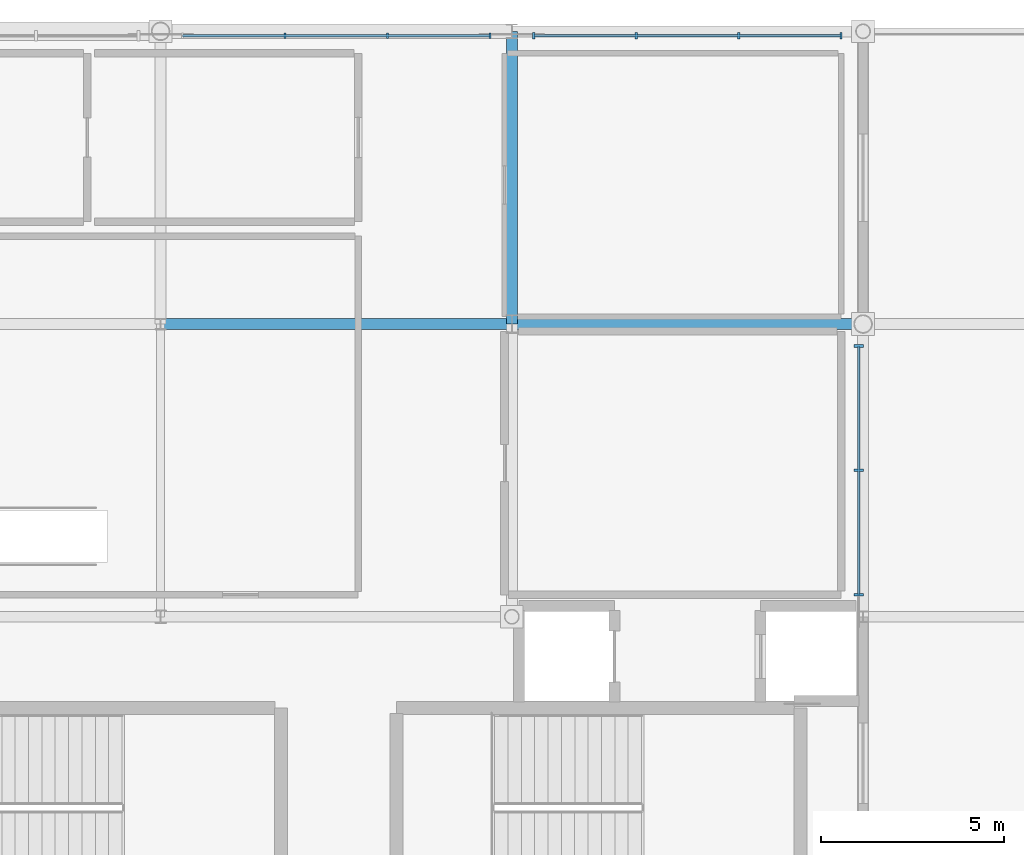
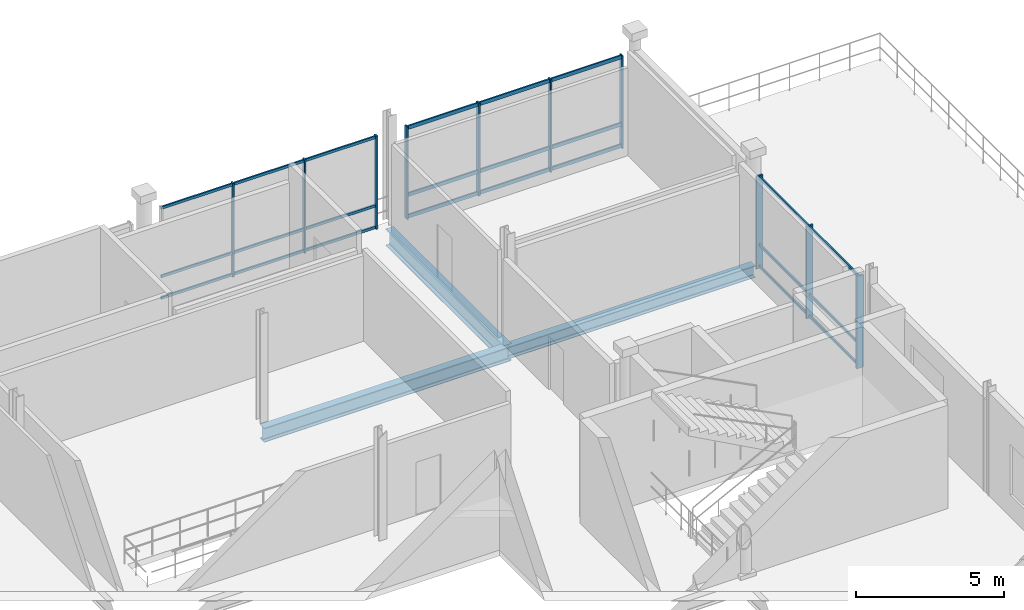
# One storey, part 13 of 26: 19 members, 3 beams, 3 elements without a shape of their own.
"""IFC4 building model written with IfcOpenShell, lengths in metres."""

from ifc_helpers import new_model, si_unit, direction, frame, origin, origin_2d, place, context, subcontext, project, spatial, rectangle, i_section, extrude, material, material_profile, profile_set, type_object, element, aggregate, save


model = new_model("IFC4")

# Units and contexts
model_context = context("Model", 3, precision=1e-05, world=origin(), true_north=direction((0.0, 1.0)))
body_context = subcontext(model_context, "Body", "Model", "MODEL_VIEW")
ifc_project = project(units=[si_unit("LENGTHUNIT", "METRE"), si_unit("AREAUNIT", "SQUARE_METRE"), si_unit("VOLUMEUNIT", "CUBIC_METRE"), si_unit("PLANEANGLEUNIT", "RADIAN"), si_unit("MASSUNIT", "GRAM", prefix="KILO")], contexts=[model_context])

# Site, building, storey
site_placement = place(None, origin())
site = spatial("IfcSite", under=ifc_project, at=site_placement, CompositionType="ELEMENT")
building_placement = place(site_placement, origin())
building = spatial("IfcBuilding", under=site, at=building_placement, Name="Danafjord Basin Convention Centre", CompositionType="ELEMENT")
storey_placement = place(building_placement, frame((0.0, 0.0, 24.89990234375)))
storey = spatial("IfcBuildingStorey", under=building, at=storey_placement, Name="L05", CompositionType="ELEMENT", Elevation=24.89990234375)

# Beams
ifc_material_1 = material(Name="Steel S355", Category="steel")
ifc_material_profile_1 = material_profile(ifc_material_1, i_section(OverallWidth=0.300048828125, OverallDepth=0.489990234375, WebThickness=0.011962890625, FlangeThickness=0.02294921875, FilletRadius=0.027099609375, at=origin_2d()), Name="HEA 500")
ifc_profile_set_1 = profile_set([ifc_material_profile_1], Name="Steel S355")
beam_type_1 = type_object("IfcBeamType", Name="BEAM-BM-HEA500", PredefinedType="BEAM", material=ifc_profile_set_1)
beam_1_placement = place(storey_placement, frame((86.39990234375, 32.0, -0.494873046875), z_axis=(1.0, 0.0, 0.0), x_axis=(0.0, 1.0, 0.0)))
element("IfcBeam", 1, at=beam_1_placement, inside=storey, type_object=beam_type_1, Name="L05 girder BM-HEA500", PredefinedType="BEAM", context=body_context, shape_type="SweptSolid", body=[
    extrude(i_section(OverallWidth=0.300048828125, OverallDepth=0.489990234375, WebThickness=0.011962890625, FlangeThickness=0.02294921875, FilletRadius=0.027099609375, at=origin_2d()), origin(), (0.0, 0.0, 1.0), 9.60009765625),
])
ifc_material_profile_2 = material_profile(ifc_material_1, i_section(OverallWidth=0.300048828125, OverallDepth=0.590087890625, WebThickness=0.012939453125, FlangeThickness=0.02490234375, FilletRadius=0.027099609375, at=origin_2d()), Name="HEA 600")
ifc_profile_set_2 = profile_set([ifc_material_profile_2], Name="Steel S355")
beam_type_2 = type_object("IfcBeamType", Name="BEAM-BM-HEA600", PredefinedType="BEAM", material=ifc_profile_set_2)
beam_2_placement = place(storey_placement, frame((76.800048828125, 32.0, -0.544921875), z_axis=(1.0, 0.0, 0.0), x_axis=(0.0, 1.0, 0.0)))
element("IfcBeam", 2, at=beam_2_placement, inside=storey, type_object=beam_type_2, Name="L05 girder BM-HEA600", PredefinedType="BEAM", context=body_context, shape_type="SweptSolid", body=[
    extrude(i_section(OverallWidth=0.300048828125, OverallDepth=0.590087890625, WebThickness=0.012939453125, FlangeThickness=0.02490234375, FilletRadius=0.027099609375, at=origin_2d()), origin(), (0.0, 0.0, 1.0), 9.599853515625),
])
ifc_material_profile_3 = material_profile(ifc_material_1, i_section(OverallWidth=0.300048828125, OverallDepth=0.699951171875, WebThickness=0.01708984375, FlangeThickness=0.031982421875, FilletRadius=0.027099609375, at=origin_2d()), Name="HEB 700")
ifc_profile_set_3 = profile_set([ifc_material_profile_3], Name="Steel S355")
beam_type_3 = type_object("IfcBeamType", Name="BEAM-BM-HEB700", PredefinedType="BEAM", material=ifc_profile_set_3)
beam_3_placement = place(storey_placement, frame((86.39990234375, 32.0, -0.599853515625), z_axis=(0.0, 1.0, 0.0), x_axis=(-1.0, 0.0, 0.0)))
element("IfcBeam", 3, at=beam_3_placement, inside=storey, type_object=beam_type_3, Name="L05 transverse girder BM-HEB700", PredefinedType="BEAM", context=body_context, shape_type="SweptSolid", body=[
    extrude(i_section(OverallWidth=0.300048828125, OverallDepth=0.699951171875, WebThickness=0.01708984375, FlangeThickness=0.031982421875, FilletRadius=0.027099609375, at=origin_2d()), origin(), (0.0, 0.0, 1.0), 8.0),
])

# Curtain wall, members
ifc_material_2 = material(Name="Anodised aluminium and triple glazing", Category="aluminium")
curtain_wall_type = type_object("IfcCurtainWallType", Name="CW-CW-TERR", PredefinedType="NOTDEFINED", material=ifc_material_2)
curtain_wall_1_placement = place(storey_placement, origin())
curtain_wall_1 = element("IfcCurtainWall", 4, at=curtain_wall_1_placement, inside=storey, type_object=curtain_wall_type, Name="L05 CW-TERR unitised curtain wall bay 105", PredefinedType="NOTDEFINED")
ifc_material_3 = material(Name="Anodised aluminium EN AW-6060", Category="aluminium")
ifc_material_profile_4 = material_profile(ifc_material_3, rectangle(XDim=0.06005859375, YDim=0.139892578125, at=origin_2d()), Name="MULL 60x140")
ifc_profile_set_4 = profile_set([ifc_material_profile_4], Name="Anodised aluminium EN AW-6060")
member_type_1 = type_object("IfcMemberType", Name="MEM-ML-140", PredefinedType="MULLION", material=ifc_profile_set_4)
member_1_placement = place(storey_placement, frame((85.800048828125, 39.8798828125, -0.02490234375), z_axis=(0.0, 0.0, 1.0), x_axis=(-1.0, 0.0, 0.0)))
member_1 = element("IfcMember", 5, at=member_1_placement, type_object=member_type_1, Name="CW-L05-105 mullion 1", PredefinedType="MULLION", context=body_context, shape_type="SweptSolid", body=[
    extrude(rectangle(XDim=0.06005859375, YDim=0.139892578125, at=origin_2d()), origin(), (0.0, 0.0, 1.0), 3.875),
])
member_2_placement = place(storey_placement, frame((83.0, 39.8798828125, -0.02490234375), z_axis=(0.0, 0.0, 1.0), x_axis=(-1.0, 0.0, 0.0)))
member_2 = element("IfcMember", 6, at=member_2_placement, type_object=member_type_1, Name="CW-L05-105 mullion 2", PredefinedType="MULLION", context=body_context, shape_type="SweptSolid", body=[
    extrude(rectangle(XDim=0.06005859375, YDim=0.139892578125, at=origin_2d()), origin(), (0.0, 0.0, 1.0), 3.875),
])
member_3_placement = place(storey_placement, frame((80.199951171875, 39.8798828125, -0.02490234375), z_axis=(0.0, 0.0, 1.0), x_axis=(-1.0, 0.0, 0.0)))
member_3 = element("IfcMember", 7, at=member_3_placement, type_object=member_type_1, Name="CW-L05-105 mullion 3", PredefinedType="MULLION", context=body_context, shape_type="SweptSolid", body=[
    extrude(rectangle(XDim=0.06005859375, YDim=0.139892578125, at=origin_2d()), origin(), (0.0, 0.0, 1.0), 3.875),
])

curtain_wall_2_placement = place(storey_placement, origin())
curtain_wall_2 = element("IfcCurtainWall", 8, at=curtain_wall_2_placement, inside=storey, type_object=curtain_wall_type, Name="L05 CW-TERR unitised curtain wall bay 106", PredefinedType="NOTDEFINED")
ifc_material_profile_5 = material_profile(ifc_material_3, rectangle(XDim=0.06005859375, YDim=0.179931640625, at=origin_2d()), Name="MULL 60x180")
ifc_profile_set_5 = profile_set([ifc_material_profile_5], Name="Anodised aluminium EN AW-6060")
member_type_2 = type_object("IfcMemberType", Name="MEM-ML-180", PredefinedType="MULLION", material=ifc_profile_set_5)
member_4_placement = place(storey_placement, frame((95.39990234375, 39.8798828125, -0.02490234375), z_axis=(0.0, 0.0, 1.0), x_axis=(-1.0, 0.0, 0.0)))
member_4 = element("IfcMember", 9, at=member_4_placement, type_object=member_type_2, Name="CW-L05-106 mullion 1", PredefinedType="MULLION", context=body_context, shape_type="SweptSolid", body=[
    extrude(rectangle(XDim=0.06005859375, YDim=0.179931640625, at=origin_2d()), origin(), (0.0, 0.0, 1.0), 3.824951171875),
])
member_5_placement = place(storey_placement, frame((92.60009765625, 39.8798828125, -0.02490234375), z_axis=(0.0, 0.0, 1.0), x_axis=(-1.0, 0.0, 0.0)))
member_5 = element("IfcMember", 10, at=member_5_placement, type_object=member_type_2, Name="CW-L05-106 mullion 2", PredefinedType="MULLION", context=body_context, shape_type="SweptSolid", body=[
    extrude(rectangle(XDim=0.06005859375, YDim=0.179931640625, at=origin_2d()), origin(), (0.0, 0.0, 1.0), 3.824951171875),
])
member_6_placement = place(storey_placement, frame((89.800048828125, 39.8798828125, -0.02490234375), z_axis=(0.0, 0.0, 1.0), x_axis=(-1.0, 0.0, 0.0)))
member_6 = element("IfcMember", 11, at=member_6_placement, type_object=member_type_2, Name="CW-L05-106 mullion 3", PredefinedType="MULLION", context=body_context, shape_type="SweptSolid", body=[
    extrude(rectangle(XDim=0.06005859375, YDim=0.179931640625, at=origin_2d()), origin(), (0.0, 0.0, 1.0), 3.824951171875),
])
member_7_placement = place(storey_placement, frame((87.0, 39.8798828125, -0.02490234375), z_axis=(0.0, 0.0, 1.0), x_axis=(-1.0, 0.0, 0.0)))
member_7 = element("IfcMember", 12, at=member_7_placement, type_object=member_type_2, Name="CW-L05-106 mullion 4", PredefinedType="MULLION", context=body_context, shape_type="SweptSolid", body=[
    extrude(rectangle(XDim=0.06005859375, YDim=0.179931640625, at=origin_2d()), origin(), (0.0, 0.0, 1.0), 3.824951171875),
])

curtain_wall_3_placement = place(storey_placement, origin())
curtain_wall_3 = element("IfcCurtainWall", 13, at=curtain_wall_3_placement, inside=storey, type_object=curtain_wall_type, Name="L05 CW-TERR unitised curtain wall bay 108", PredefinedType="NOTDEFINED")
ifc_material_profile_6 = material_profile(ifc_material_3, rectangle(XDim=0.070068359375, YDim=0.260009765625, at=origin_2d()), Name="MULL 70x260")
ifc_profile_set_6 = profile_set([ifc_material_profile_6], Name="Anodised aluminium EN AW-6060")
member_type_3 = type_object("IfcMemberType", Name="MEM-ML-260", PredefinedType="MULLION", material=ifc_profile_set_6)
member_8_placement = place(storey_placement, frame((95.8798828125, 24.60009765625, -0.02490234375), z_axis=(0.0, 0.0, 1.0), x_axis=(0.0, 1.0, 0.0)))
member_8 = element("IfcMember", 14, at=member_8_placement, type_object=member_type_3, Name="CW-L05-108 mullion 1", PredefinedType="MULLION", context=body_context, shape_type="SweptSolid", body=[
    extrude(rectangle(XDim=0.070068359375, YDim=0.260009765625, at=origin_2d()), origin(), (0.0, 0.0, 1.0), 3.824951171875),
])
member_9_placement = place(storey_placement, frame((95.8798828125, 28.0, -0.02490234375), z_axis=(0.0, 0.0, 1.0), x_axis=(0.0, 1.0, 0.0)))
member_9 = element("IfcMember", 15, at=member_9_placement, type_object=member_type_3, Name="CW-L05-108 mullion 2", PredefinedType="MULLION", context=body_context, shape_type="SweptSolid", body=[
    extrude(rectangle(XDim=0.070068359375, YDim=0.260009765625, at=origin_2d()), origin(), (0.0, 0.0, 1.0), 3.824951171875),
])
member_10_placement = place(storey_placement, frame((95.8798828125, 31.39990234375, -0.02490234375), z_axis=(0.0, 0.0, 1.0), x_axis=(0.0, 1.0, 0.0)))
member_10 = element("IfcMember", 16, at=member_10_placement, type_object=member_type_3, Name="CW-L05-108 mullion 3", PredefinedType="MULLION", context=body_context, shape_type="SweptSolid", body=[
    extrude(rectangle(XDim=0.070068359375, YDim=0.260009765625, at=origin_2d()), origin(), (0.0, 0.0, 1.0), 3.824951171875),
])

# Member
ifc_material_profile_7 = material_profile(ifc_material_3, rectangle(XDim=0.06005859375, YDim=0.110107421875, at=origin_2d()), Name="TRAN 60x110")
ifc_profile_set_7 = profile_set([ifc_material_profile_7], Name="Anodised aluminium EN AW-6060")
member_type_4 = type_object("IfcMemberType", Name="MEM-TR-110", PredefinedType="USERDEFINED", material=ifc_profile_set_7)
member_11_placement = place(storey_placement, frame((85.800048828125, 39.8798828125, 0.06005859375), z_axis=(-1.0, 0.0, 0.0), x_axis=(0.0, -1.0, 0.0)))
member_11 = element("IfcMember", 17, at=member_11_placement, type_object=member_type_4, Name="CW-L05-105 transom 1", ObjectType="TRANSOM", PredefinedType="USERDEFINED", context=body_context, shape_type="SweptSolid", body=[
    extrude(rectangle(XDim=0.06005859375, YDim=0.110107421875, at=origin_2d()), origin(), (0.0, 0.0, 1.0), 8.400146484375),
])

member_12_placement = place(storey_placement, frame((85.800048828125, 39.8798828125, 0.9501953125), z_axis=(-1.0, 0.0, 0.0), x_axis=(0.0, -1.0, 0.0)))
member_12 = element("IfcMember", 18, at=member_12_placement, type_object=member_type_4, Name="CW-L05-105 transom 2", ObjectType="TRANSOM", PredefinedType="USERDEFINED", context=body_context, shape_type="SweptSolid", body=[
    extrude(rectangle(XDim=0.06005859375, YDim=0.110107421875, at=origin_2d()), origin(), (0.0, 0.0, 1.0), 8.400146484375),
])

member_13_placement = place(storey_placement, frame((85.800048828125, 39.8798828125, 3.780029296875), z_axis=(-1.0, 0.0, 0.0), x_axis=(0.0, -1.0, 0.0)))
member_13 = element("IfcMember", 19, at=member_13_placement, type_object=member_type_4, Name="CW-L05-105 transom 3", ObjectType="TRANSOM", PredefinedType="USERDEFINED", context=body_context, shape_type="SweptSolid", body=[
    extrude(rectangle(XDim=0.06005859375, YDim=0.110107421875, at=origin_2d()), origin(), (0.0, 0.0, 1.0), 8.400146484375),
])

aggregate(curtain_wall_1, [member_1, member_2, member_3, member_11, member_12, member_13])

member_14_placement = place(storey_placement, frame((95.8798828125, 24.60009765625, 0.06005859375), z_axis=(0.0, 1.0, 0.0), x_axis=(-1.0, 0.0, 0.0)))
member_14 = element("IfcMember", 20, at=member_14_placement, type_object=member_type_4, Name="CW-L05-108 transom 1", ObjectType="TRANSOM", PredefinedType="USERDEFINED", context=body_context, shape_type="SweptSolid", body=[
    extrude(rectangle(XDim=0.06005859375, YDim=0.110107421875, at=origin_2d()), origin(), (0.0, 0.0, 1.0), 6.7998046875),
])

member_15_placement = place(storey_placement, frame((95.8798828125, 24.60009765625, 0.9501953125), z_axis=(0.0, 1.0, 0.0), x_axis=(-1.0, 0.0, 0.0)))
member_15 = element("IfcMember", 21, at=member_15_placement, type_object=member_type_4, Name="CW-L05-108 transom 2", ObjectType="TRANSOM", PredefinedType="USERDEFINED", context=body_context, shape_type="SweptSolid", body=[
    extrude(rectangle(XDim=0.06005859375, YDim=0.110107421875, at=origin_2d()), origin(), (0.0, 0.0, 1.0), 6.7998046875),
])

member_16_placement = place(storey_placement, frame((95.8798828125, 24.60009765625, 3.72998046875), z_axis=(0.0, 1.0, 0.0), x_axis=(-1.0, 0.0, 0.0)))
member_16 = element("IfcMember", 22, at=member_16_placement, type_object=member_type_4, Name="CW-L05-108 transom 3", ObjectType="TRANSOM", PredefinedType="USERDEFINED", context=body_context, shape_type="SweptSolid", body=[
    extrude(rectangle(XDim=0.06005859375, YDim=0.110107421875, at=origin_2d()), origin(), (0.0, 0.0, 1.0), 6.7998046875),
])

aggregate(curtain_wall_3, [member_8, member_9, member_10, member_14, member_15, member_16])

ifc_material_profile_8 = material_profile(ifc_material_3, rectangle(XDim=0.06005859375, YDim=0.14990234375, at=origin_2d()), Name="TRAN 60x150")
ifc_profile_set_8 = profile_set([ifc_material_profile_8], Name="Anodised aluminium EN AW-6060")
member_type_5 = type_object("IfcMemberType", Name="MEM-TR-150", PredefinedType="USERDEFINED", material=ifc_profile_set_8)
member_17_placement = place(storey_placement, frame((95.39990234375, 39.8798828125, 0.06005859375), z_axis=(-1.0, 0.0, 0.0), x_axis=(0.0, -1.0, 0.0)))
member_17 = element("IfcMember", 23, at=member_17_placement, type_object=member_type_5, Name="CW-L05-106 transom 1", ObjectType="TRANSOM", PredefinedType="USERDEFINED", context=body_context, shape_type="SweptSolid", body=[
    extrude(rectangle(XDim=0.06005859375, YDim=0.14990234375, at=origin_2d()), origin(), (0.0, 0.0, 1.0), 8.39990234375),
])

member_18_placement = place(storey_placement, frame((95.39990234375, 39.8798828125, 0.9501953125), z_axis=(-1.0, 0.0, 0.0), x_axis=(0.0, -1.0, 0.0)))
member_18 = element("IfcMember", 24, at=member_18_placement, type_object=member_type_5, Name="CW-L05-106 transom 2", ObjectType="TRANSOM", PredefinedType="USERDEFINED", context=body_context, shape_type="SweptSolid", body=[
    extrude(rectangle(XDim=0.06005859375, YDim=0.14990234375, at=origin_2d()), origin(), (0.0, 0.0, 1.0), 8.39990234375),
])

member_19_placement = place(storey_placement, frame((95.39990234375, 39.8798828125, 3.72998046875), z_axis=(-1.0, 0.0, 0.0), x_axis=(0.0, -1.0, 0.0)))
member_19 = element("IfcMember", 25, at=member_19_placement, type_object=member_type_5, Name="CW-L05-106 transom 3", ObjectType="TRANSOM", PredefinedType="USERDEFINED", context=body_context, shape_type="SweptSolid", body=[
    extrude(rectangle(XDim=0.06005859375, YDim=0.14990234375, at=origin_2d()), origin(), (0.0, 0.0, 1.0), 8.39990234375),
])

aggregate(curtain_wall_2, [member_4, member_5, member_6, member_7, member_17, member_18, member_19])

save(model, "model.ifc")
